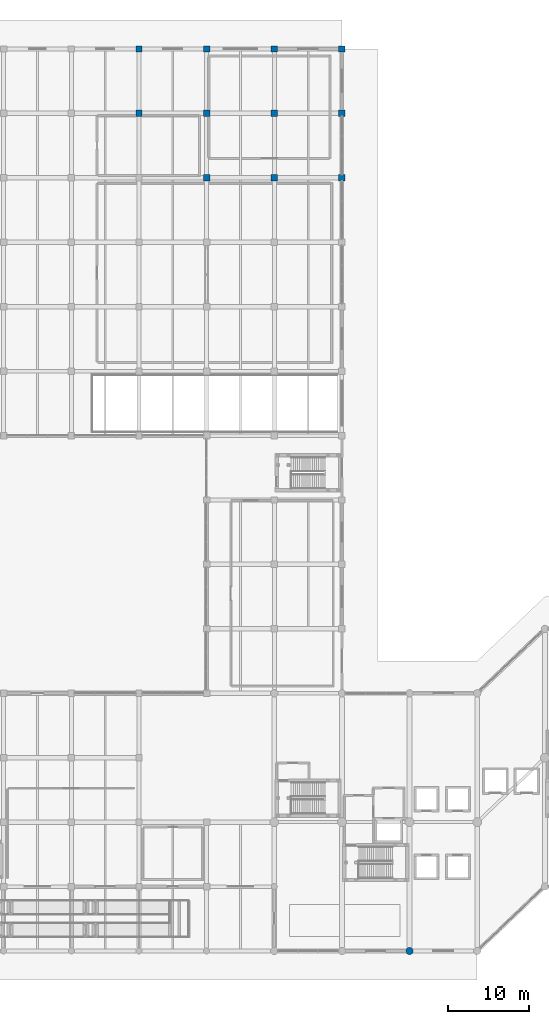
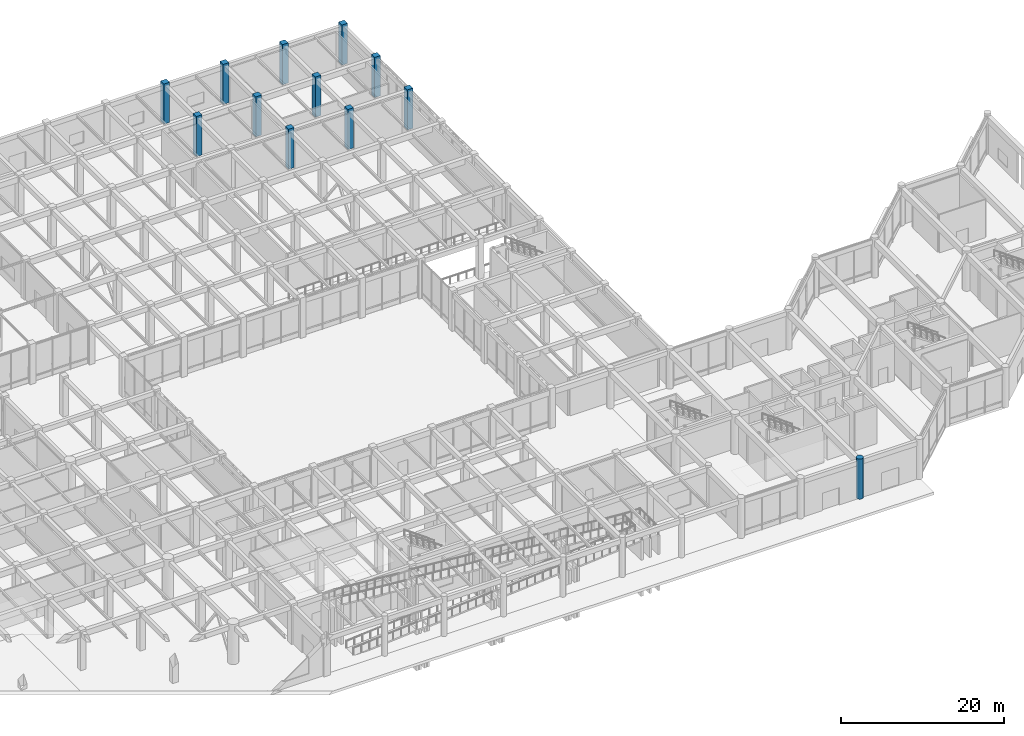
# One storey, part 15 of 76: 12 columns.
"""IFC4 building model written with IfcOpenShell, lengths in metres."""

import ifcopenshell
import ifcopenshell.guid

model = None  # the IFC model being written
_history = None  # IfcOwnerHistory: only IFC2X3 demands one
_inside = {}  # id of a spatial element -> (the spatial element, [elements in it])
_under = {}  # id of a project, library or spatial element -> (it, [spatial elements below it])
_declared = {}  # id of a project -> (the project, [libraries it declares])
_typed = {}  # id of a type object -> (the type object, [elements of that type])
_made_of = {}  # id of a material, layer set ... -> (it, [elements and type objects made of it])


def new_model(schema):
    """Start an empty IFC model of exactly this schema.

    Asked for "IFC4X3", IfcOpenShell would pick the latest addendum, in which some entities
    have other attributes; the version numbers below select the first issue.
    IFC2X3 requires an IfcOwnerHistory on every rooted entity: one is made here for all.
    """
    global model, _history
    if schema == "IFC4X3":
        model = ifcopenshell.file(schema_version=(4, 3, 0, 0))
    else:
        model = ifcopenshell.file(schema=schema)
    _inside.clear()
    _under.clear()
    _declared.clear()
    _typed.clear()
    _made_of.clear()
    _history = None
    if model.schema == "IFC2X3":
        org = make("IfcOrganization", Name="unknown")
        user = make(
            "IfcPersonAndOrganization",
            ThePerson=make("IfcPerson", FamilyName="unknown"),
            TheOrganization=org,
        )
        app = make(
            "IfcApplication",
            ApplicationDeveloper=org,
            Version="unknown",
            ApplicationFullName="unknown",
            ApplicationIdentifier="unknown",
        )
        _history = make(
            "IfcOwnerHistory",
            OwningUser=user,
            OwningApplication=app,
            ChangeAction="ADDED",
            CreationDate=0,
        )
    return model


def make(cls, **values):
    """One entity of the class cls with the attributes given. An attribute that is None is left unset."""
    return model.create_entity(
        cls, **{name: value for name, value in values.items() if value is not None}
    )


def rooted(cls, **values):
    """An entity with a GlobalId (a new one), such as an element, a storey or a relation."""
    return make(cls, GlobalId=ifcopenshell.guid.new(), OwnerHistory=_history, **values)


def si_unit(unit_type, name, prefix=None):
    """IfcSIUnit, for example si_unit("LENGTHUNIT", "METRE", prefix="MILLI")."""
    return make("IfcSIUnit", UnitType=unit_type, Prefix=prefix, Name=name)


def assignment(units):
    """IfcUnitAssignment: the units of a project."""
    return None if units is None else make("IfcUnitAssignment", Units=units)


def point(xyz):
    """IfcCartesianPoint."""
    return None if xyz is None else make("IfcCartesianPoint", Coordinates=xyz)


def direction(xyz):
    """IfcDirection."""
    return None if xyz is None else make("IfcDirection", DirectionRatios=xyz)


def frame(location, z_axis=None, x_axis=None):
    """IfcAxis2Placement3D, a coordinate frame: its origin and axes. An axis left out is left unset."""
    return make(
        "IfcAxis2Placement3D",
        Location=point(location),
        Axis=direction(z_axis),
        RefDirection=direction(x_axis),
    )


def frame_2d(location, x_axis=None):
    """IfcAxis2Placement2D, a coordinate frame in the plane: its origin and x axis."""
    return make(
        "IfcAxis2Placement2D", Location=point(location), RefDirection=direction(x_axis)
    )


def origin():
    """The frame at (0, 0, 0) with its axes left unset."""
    return frame((0.0, 0.0, 0.0))


def origin_2d():
    """The frame at (0, 0) in the plane with its x axis left unset."""
    return frame_2d((0.0, 0.0))


def place(relative_to, where):
    """IfcLocalPlacement: puts the frame where relative to a parent placement (None: the world)."""
    return make(
        "IfcLocalPlacement", PlacementRelTo=relative_to, RelativePlacement=where
    )


def context(
    kind, dimensions, precision=None, world=None, true_north=None, identifier=None
):
    """IfcGeometricRepresentationContext, for example the 3D "Model" context."""
    return make(
        "IfcGeometricRepresentationContext",
        ContextIdentifier=identifier,
        ContextType=kind,
        CoordinateSpaceDimension=dimensions,
        Precision=precision,
        WorldCoordinateSystem=world,
        TrueNorth=true_north,
    )


def subcontext(parent, identifier, kind, view, scale=None):
    """IfcGeometricRepresentationSubContext, for example "Body" below "Model"."""
    return make(
        "IfcGeometricRepresentationSubContext",
        ContextIdentifier=identifier,
        ContextType=kind,
        ParentContext=parent,
        TargetScale=scale,
        TargetView=view,
    )


def project(units=None, contexts=None):
    """IfcProject with its units and contexts."""
    return rooted(
        "IfcProject",
        Name="project",
        RepresentationContexts=contexts,
        UnitsInContext=assignment(units),
    )


def spatial(cls, under=None, at=None, **own):
    """A site, building, storey or space (cls), placed at a placement, below another one or the project."""
    s = rooted(cls, ObjectPlacement=at, **own)
    if under is not None:
        _under.setdefault(under.id(), (under, []))[1].append(s)
    return s


def profile(cls, at=None, kind="AREA", **sizes):
    """A parametric profile (cls). Its sizes go by their IFC names, for example OverallWidth=200.0."""
    return make(cls, ProfileType=kind, Position=at, **sizes)


def rectangle(**sizes):
    """IfcRectangleProfileDef."""
    return profile("IfcRectangleProfileDef", **sizes)


def circle(**sizes):
    """IfcCircleProfileDef."""
    return profile("IfcCircleProfileDef", **sizes)


def extrude(swept, where, along, depth):
    """IfcExtrudedAreaSolid: the profile swept, set in the frame where, extruded along a direction by depth."""
    return make(
        "IfcExtrudedAreaSolid",
        SweptArea=swept,
        Position=where,
        ExtrudedDirection=direction(along),
        Depth=depth,
    )


def shape(context_of_items, identifier, shape_type, items):
    """IfcShapeRepresentation: the items that make up one representation, for example the "Body"."""
    return make(
        "IfcShapeRepresentation",
        ContextOfItems=context_of_items,
        RepresentationIdentifier=identifier,
        RepresentationType=shape_type,
        Items=items,
    )


def material(Name=None, Category=None):
    """IfcMaterial."""
    return make("IfcMaterial", Name=Name, Category=Category)


def material_profile(
    of_material, cross_section, Name=None, Category=None, Priority=None
):
    """IfcMaterialProfile: a cross section and its material."""
    return make(
        "IfcMaterialProfile",
        Name=Name,
        Material=of_material,
        Profile=cross_section,
        Priority=Priority,
        Category=Category,
    )


def profile_set(profiles, Name=None, composite=None):
    """IfcMaterialProfileSet."""
    return make(
        "IfcMaterialProfileSet",
        Name=Name,
        MaterialProfiles=profiles,
        CompositeProfile=composite,
    )


def made_of(thing, what):
    """Note that an element or type object is made of a material, layer set ...; save() writes the relation."""
    if what is not None:
        _made_of.setdefault(what.id(), (what, []))[1].append(thing)
    return thing


def type_object(cls, material=None, **own):
    """A type object (cls), such as IfcWallType, which elements share."""
    return made_of(rooted(cls, **own), material)


def element(
    cls,
    number,
    at=None,
    inside=None,
    cuts=None,
    type_object=None,
    material=None,
    context=None,
    identifier="Body",
    shape_type=None,
    held_by="IfcProductDefinitionShape",
    body=None,
    shapes=None,
    **own,
):
    """One element of the class cls, such as IfcWall. Its Tag is "e" and its number.

    at: its placement. inside: the storey or other place that contains it. cuts: it is an
    opening in that element (IfcRelVoidsElement). A single representation is given by context,
    identifier, shape_type and body (its items); several are given by shapes. held_by: the class
    of the entity that holds the representations. save() writes the other relations.
    """
    e = rooted(cls, Tag="e%d" % number, ObjectPlacement=at, **own)
    if body is not None:
        shapes = [shape(context, identifier, shape_type, body)]
    if shapes is not None:
        e.Representation = make(held_by, Representations=shapes)
    if inside is not None:
        _inside.setdefault(inside.id(), (inside, []))[1].append(e)
    if cuts is not None:
        rooted(
            "IfcRelVoidsElement", RelatingBuildingElement=cuts, RelatedOpeningElement=e
        )
    if type_object is not None:
        _typed.setdefault(type_object.id(), (type_object, []))[1].append(e)
    return made_of(e, material)


def aggregate(whole, parts):
    """IfcRelAggregates: a whole, such as a stair, and the parts it consists of."""
    return rooted("IfcRelAggregates", RelatingObject=whole, RelatedObjects=parts)


def save(model, path):
    """Write the relations noted so far, then the file.

    IfcRelAggregates (storeys below a building ...), IfcRelContainedInSpatialStructure (elements
    in a storey), IfcRelDefinesByType, IfcRelAssociatesMaterial and IfcRelDeclares: one each for
    every whole, place, type object, material and project.
    """
    for whole, parts in _under.values():
        aggregate(whole, parts)
    for where, things in _inside.values():
        rooted(
            "IfcRelContainedInSpatialStructure",
            RelatedElements=things,
            RelatingStructure=where,
        )
    for kind, things in _typed.values():
        rooted("IfcRelDefinesByType", RelatedObjects=things, RelatingType=kind)
    for what, things in _made_of.values():
        rooted("IfcRelAssociatesMaterial", RelatedObjects=things, RelatingMaterial=what)
    for by, libraries in _declared.values():
        rooted("IfcRelDeclares", RelatingContext=by, RelatedDefinitions=libraries)
    model.write(path)


model = new_model("IFC4")

# Units and contexts
model_context = context("Model", 3, precision=1e-05, world=origin(), true_north=direction((0.0, 1.0)))
body_context = subcontext(model_context, "Body", "Model", "MODEL_VIEW")
ifc_project = project(units=[si_unit("LENGTHUNIT", "METRE"), si_unit("AREAUNIT", "SQUARE_METRE"), si_unit("VOLUMEUNIT", "CUBIC_METRE"), si_unit("PLANEANGLEUNIT", "RADIAN"), si_unit("MASSUNIT", "GRAM", prefix="KILO")], contexts=[model_context])

# Site, building, storey
site_placement = place(None, origin())
site = spatial("IfcSite", under=ifc_project, at=site_placement, CompositionType="ELEMENT")
building_placement = place(site_placement, origin())
building = spatial("IfcBuilding", under=site, at=building_placement, Name="Naruveol Harbour Congress Hotel", CompositionType="ELEMENT")
storey_placement = place(building_placement, origin())
storey = spatial("IfcBuildingStorey", under=building, at=storey_placement, Name="L00", CompositionType="ELEMENT", Elevation=0.0)

# Columns
ifc_material_1 = material(Name="Concrete C50/60", Category="concrete")
ifc_material_profile_1 = material_profile(ifc_material_1, circle(Radius=0.449951171875, at=origin_2d()), Name="RC-D900")
ifc_profile_set_1 = profile_set([ifc_material_profile_1], Name="Concrete C50/60")
column_type_1 = type_object("IfcColumnType", Name="RC HARBOUR PILOTIS D900", PredefinedType="COLUMN", material=ifc_profile_set_1)
column_placement = place(storey_placement, frame((134.39990234375, 0.0, 0.0), z_axis=(0.0, 0.0, 1.0), x_axis=(1.0, 0.0, 0.0)))
element("IfcColumn", 1, at=column_placement, inside=storey, type_object=column_type_1, Name="Column C-PD900 L00 (134.4,0.0)", PredefinedType="COLUMN", context=body_context, shape_type="SweptSolid", body=[
    extrude(circle(Radius=0.449951171875, at=origin_2d()), origin(), (0.0, 0.0, 1.0), 6.0),
])
ifc_material_2 = material(Name="Concrete C50/60", Category="concrete")
ifc_material_profile_2 = material_profile(ifc_material_2, rectangle(XDim=0.800048828125, YDim=0.800048828125, at=origin_2d()), Name="RC-800x800")
ifc_profile_set_2 = profile_set([ifc_material_profile_2], Name="Concrete C50/60")
column_type_2 = type_object("IfcColumnType", Name="RC PODIUM COLUMN 800X800", PredefinedType="COLUMN", material=ifc_profile_set_2)
for number, where, z_axis, x_axis, name in (
    (2, (100.800048828125, 104.0, 0.0), (0.0, 0.0, 1.0), (1.0, 0.0, 0.0), "Column C-800 L00 (100.8,104.0)"),
    (3, (100.800048828125, 112.0, 0.0), (0.0, 0.0, 1.0), (1.0, 0.0, 0.0), "Column C-800 L00 (100.8,112.0)"),
    (4, (109.199951171875, 96.0, 0.0), (0.0, 0.0, 1.0), (1.0, 0.0, 0.0), "Column C-800 L00 (109.2,96.0)"),
    (5, (109.199951171875, 104.0, 0.0), (0.0, 0.0, 1.0), (1.0, 0.0, 0.0), "Column C-800 L00 (109.2,104.0)"),
    (6, (109.199951171875, 112.0, 0.0), (0.0, 0.0, 1.0), (1.0, 0.0, 0.0), "Column C-800 L00 (109.2,112.0)"),
    (7, (117.60009765625, 96.0, 0.0), (0.0, 0.0, 1.0), (1.0, 0.0, 0.0), "Column C-800 L00 (117.6,96.0)"),
    (8, (117.60009765625, 104.0, 0.0), (0.0, 0.0, 1.0), (1.0, 0.0, 0.0), "Column C-800 L00 (117.6,104.0)"),
    (9, (117.60009765625, 112.0, 0.0), (0.0, 0.0, 1.0), (1.0, 0.0, 0.0), "Column C-800 L00 (117.6,112.0)"),
    (10, (126.0, 96.0, 0.0), (0.0, 0.0, 1.0), (1.0, 0.0, 0.0), "Column C-800 L00 (126.0,96.0)"),
    (11, (126.0, 104.0, 0.0), (0.0, 0.0, 1.0), (1.0, 0.0, 0.0), "Column C-800 L00 (126.0,104.0)"),
    (12, (126.0, 112.0, 0.0), (0.0, 0.0, 1.0), (1.0, 0.0, 0.0), "Column C-800 L00 (126.0,112.0)"),
):
    element("IfcColumn", number, at=place(storey_placement, frame(where, z_axis=z_axis, x_axis=x_axis)), inside=storey, type_object=column_type_2, Name=name, PredefinedType="COLUMN", context=body_context, shape_type="SweptSolid", body=[
        extrude(rectangle(XDim=0.800048828125, YDim=0.800048828125, at=origin_2d()), origin(), (0.0, 0.0, 1.0), 6.0),
    ])

save(model, "model.ifc")
